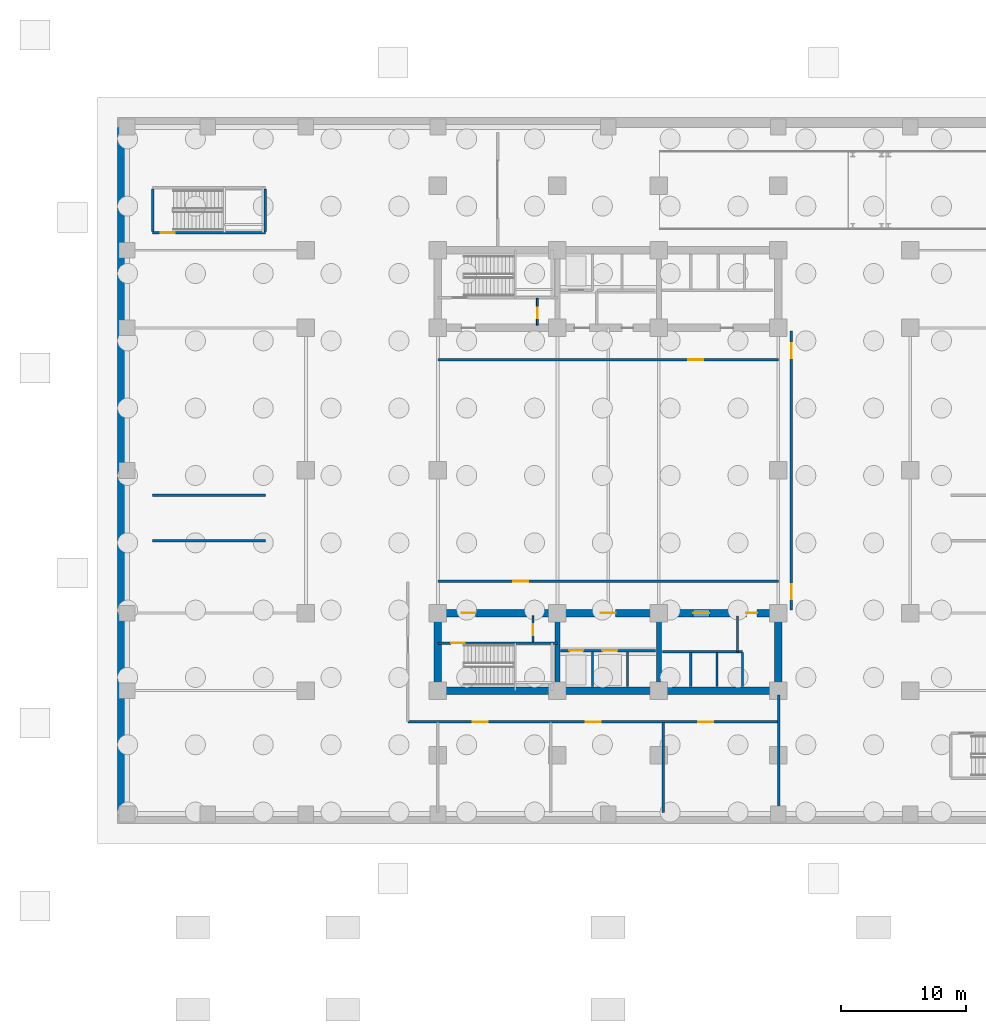
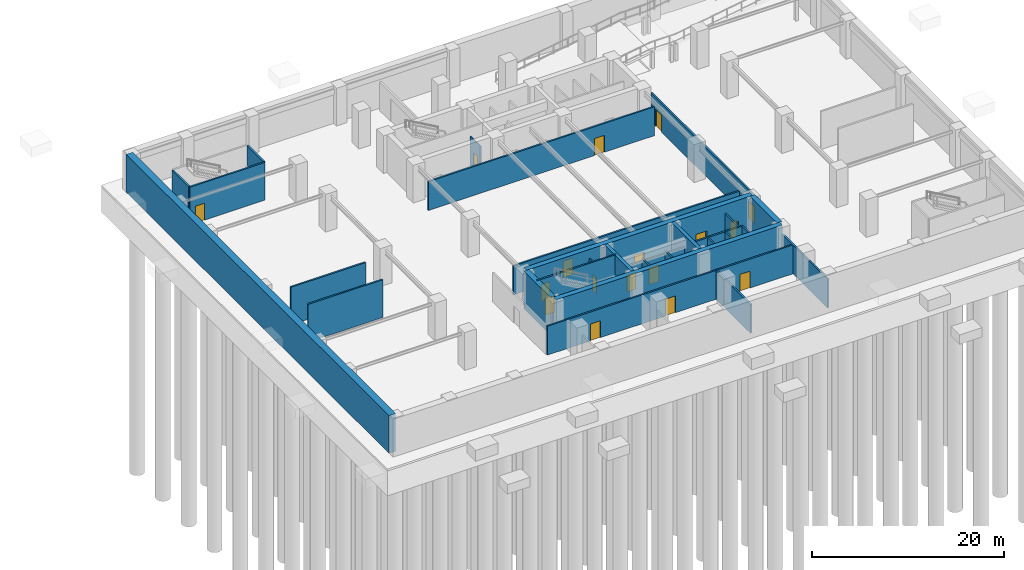
# One storey, part 7 of 13: 29 walls, 17 doors, 17 openings.
"""IFC4 building model written with IfcOpenShell, lengths in metres."""

from ifc_helpers import new_model, si_unit, direction, frame, frame_2d, origin, place, context, subcontext, project, spatial, rectangle, extrude, material, layer, layer_set, type_object, element, fill, save


model = new_model("IFC4")

# Units and contexts
model_context = context("Model", 3, precision=1e-05, world=origin(), true_north=direction((0.0, 1.0)))
body_context = subcontext(model_context, "Body", "Model", "MODEL_VIEW")
ifc_project = project(units=[si_unit("LENGTHUNIT", "METRE"), si_unit("AREAUNIT", "SQUARE_METRE"), si_unit("VOLUMEUNIT", "CUBIC_METRE"), si_unit("PLANEANGLEUNIT", "RADIAN"), si_unit("MASSUNIT", "GRAM", prefix="KILO")], contexts=[model_context])

# Site, building, storey
site_placement = place(None, origin())
site = spatial("IfcSite", under=ifc_project, at=site_placement, CompositionType="ELEMENT")
building_placement = place(site_placement, origin())
building = spatial("IfcBuilding", under=site, at=building_placement, Name="Svetorya Sky Lyceum", CompositionType="ELEMENT")
storey_placement = place(building_placement, frame((0.0, 0.0, -4.800048828125)))
storey = spatial("IfcBuildingStorey", under=building, at=storey_placement, Name="B01", CompositionType="ELEMENT", Elevation=-4.800048828125)

# Walls
ifc_material_1 = material(Name="Concrete C40/50", Category="concrete")
ifc_layer_1 = layer(ifc_material_1, 0.39990234375)
ifc_layer_set_1 = layer_set([ifc_layer_1], Name="Concrete C40/50")
wall_type_1 = type_object("IfcWallType", Name="WL-CORE-400", PredefinedType="SHEAR", material=ifc_layer_set_1)
for number, where, z_axis, x_axis, name in (
    (1, (35.14990234375, 10.89990234375, 0.0), (0.0, 0.0, 1.0), (0.0, 1.0, 0.0), "B01 SC Internal Shear Web WEB1"),
    (2, (43.25, 10.89990234375, 0.0), (0.0, 0.0, 1.0), (0.0, 1.0, 0.0), "B01 SC Internal Shear Web WEB2"),
):
    element("IfcWall", number, at=place(storey_placement, frame(where, z_axis=z_axis, x_axis=x_axis)), inside=storey, type_object=wall_type_1, Name=name, PredefinedType="SHEAR", context=body_context, shape_type="SweptSolid", body=[
        extrude(rectangle(XDim=5.60009765625, YDim=0.39990234375, at=frame_2d((2.800048828125, 0.0))), origin(), (0.0, 0.0, 1.0), 4.800048828125),
    ])
ifc_material_2 = material(Name="Concrete C60/75", Category="concrete")
ifc_layer_2 = layer(ifc_material_2, 0.60009765625)
ifc_layer_set_2 = layer_set([ifc_layer_2], Name="Concrete C60/75")
wall_type_2 = type_object("IfcWallType", Name="WL-CORE-600", PredefinedType="SHEAR", material=ifc_layer_set_2)
wall_1_placement = place(storey_placement, frame((52.800048828125, 10.60009765625, 0.0), z_axis=(0.0, 0.0, 1.0), x_axis=(-1.0, 0.0, 0.0)))
element("IfcWall", 3, at=wall_1_placement, inside=storey, type_object=wall_type_2, Name="B01 SC Outer Core Shear Wall", PredefinedType="SHEAR", context=body_context, shape_type="SweptSolid", body=[
    extrude(rectangle(XDim=27.199951171875, YDim=0.60009765625, at=frame_2d((13.60009765625, 0.0))), origin(), (0.0, 0.0, 1.0), 4.800048828125),
])
for number, where, z_axis, x_axis, name in (
    (4, (25.60009765625, 10.89990234375, 0.0), (0.0, 0.0, 1.0), (0.0, 1.0, 0.0), "B01 SC West Core Shear Wall"),
    (5, (52.800048828125, 10.89990234375, 0.0), (0.0, 0.0, 1.0), (0.0, 1.0, 0.0), "B01 SC East Core Shear Wall"),
):
    element("IfcWall", number, at=place(storey_placement, frame(where, z_axis=z_axis, x_axis=x_axis)), inside=storey, type_object=wall_type_2, Name=name, PredefinedType="SHEAR", context=body_context, shape_type="SweptSolid", body=[
        extrude(rectangle(XDim=5.60009765625, YDim=0.60009765625, at=frame_2d((2.800048828125, 0.0))), origin(), (0.0, 0.0, 1.0), 4.800048828125),
    ])

# Wall, openings, doors
wall_2_placement = place(storey_placement, frame((25.60009765625, 16.800048828125, 0.0), z_axis=(0.0, 0.0, 1.0), x_axis=(1.0, 0.0, 0.0)))
wall_2 = element("IfcWall", 6, at=wall_2_placement, inside=storey, type_object=wall_type_2, Name="B01 SC Inner Core Shear Wall", PredefinedType="SHEAR", context=body_context, shape_type="SweptSolid", body=[
    extrude(rectangle(XDim=27.199951171875, YDim=0.60009765625, at=frame_2d((13.60009765625, 0.0))), origin(), (0.0, 0.0, 1.0), 4.800048828125),
])
opening_1_placement = place(wall_2_placement, frame((1.89990234375, 0.0, 0.0)))
opening_1 = element("IfcOpeningElement", 7, at=opening_1_placement, cuts=wall_2, Name="Opening D-ST1", PredefinedType="OPENING", context=body_context, shape_type="SweptSolid", body=[
    extrude(rectangle(XDim=1.10009765625, YDim=2.14990234375, at=frame_2d((0.550048828125, 1.074951171875))), frame((0.0, 0.31005859375, 0.0), z_axis=(0.0, -1.0, 0.0), x_axis=(1.0, 0.0, 0.0)), (0.0, 0.0, 1.0), 0.6201171875),
])
opening_2_placement = place(wall_2_placement, frame((13.0, 0.0, 0.0)))
opening_2 = element("IfcOpeningElement", 8, at=opening_2_placement, cuts=wall_2, Name="Opening D-FL1", PredefinedType="OPENING", context=body_context, shape_type="SweptSolid", body=[
    extrude(rectangle(XDim=1.199951171875, YDim=2.14990234375, at=frame_2d((0.60009765625, 1.074951171875))), frame((0.0, 0.31005859375, 0.0), z_axis=(0.0, -1.0, 0.0), x_axis=(1.0, 0.0, 0.0)), (0.0, 0.0, 1.0), 0.6201171875),
])
opening_3_placement = place(wall_2_placement, frame((20.39990234375, 0.0, 0.0)))
opening_3 = element("IfcOpeningElement", 9, at=opening_3_placement, cuts=wall_2, Name="Opening D-LB1", PredefinedType="OPENING", context=body_context, shape_type="SweptSolid", body=[
    extrude(rectangle(XDim=1.300048828125, YDim=2.199951171875, at=frame_2d((0.64990234375, 1.10009765625))), frame((0.0, 0.31005859375, 0.0), z_axis=(0.0, -1.0, 0.0), x_axis=(1.0, 0.0, 0.0)), (0.0, 0.0, 1.0), 0.6201171875),
])
opening_4_placement = place(wall_2_placement, frame((24.64990234375, 0.0, 0.0)))
opening_4 = element("IfcOpeningElement", 10, at=opening_4_placement, cuts=wall_2, Name="Opening D-CWC1", PredefinedType="OPENING", context=body_context, shape_type="SweptSolid", body=[
    extrude(rectangle(XDim=0.85009765625, YDim=2.10009765625, at=frame_2d((0.425048828125, 1.050048828125))), frame((0.0, 0.31005859375, 0.0), z_axis=(0.0, -1.0, 0.0), x_axis=(1.0, 0.0, 0.0)), (0.0, 0.0, 1.0), 0.6201171875),
])
ifc_material_3 = material(Name="Fire-rated galvanized steel core service closet door", Category="steel")
door_type_1 = type_object("IfcDoorType", Name="DR-CWET-850", OperationType="SINGLE_SWING_LEFT", PredefinedType="DOOR", material=ifc_material_3)
door_1_placement = place(opening_4_placement, origin())
door_1 = element("IfcDoor", 11, at=door_1_placement, inside=storey, type_object=door_type_1, Name="B01 South Core Auxiliary Door", OperationType="SINGLE_SWING_LEFT", OverallHeight=2.10009765625, OverallWidth=0.85009765625, PredefinedType="DOOR", context=body_context, shape_type="SweptSolid", body=[
    extrude(rectangle(XDim=0.85009765625, YDim=2.10009765625, at=frame_2d((0.425048828125, 1.050048828125))), frame((0.0, 0.02490234375, 0.0), z_axis=(0.0, -1.0, 0.0), x_axis=(1.0, 0.0, 0.0)), (0.0, 0.0, 1.0), 0.050048828125),
])
fill(opening_4, door_1)
ifc_material_4 = material(Name="Powder-coated insulated galvanized stair fire door")
door_type_2 = type_object("IfcDoorType", Name="DR-FIRE-1100", OperationType="SINGLE_SWING_LEFT", PredefinedType="DOOR", material=ifc_material_4)
door_2_placement = place(opening_1_placement, origin())
door_2 = element("IfcDoor", 12, at=door_2_placement, inside=storey, type_object=door_type_2, Name="B01 South Stair Airlock Door", OperationType="SINGLE_SWING_RIGHT", OverallHeight=2.14990234375, OverallWidth=1.10009765625, PredefinedType="DOOR", context=body_context, shape_type="SweptSolid", body=[
    extrude(rectangle(XDim=1.10009765625, YDim=2.14990234375, at=frame_2d((0.550048828125, 1.074951171875))), frame((0.0, 0.02490234375, 0.0), z_axis=(0.0, -1.0, 0.0), x_axis=(1.0, 0.0, 0.0)), (0.0, 0.0, 1.0), 0.050048828125),
])
fill(opening_1, door_2)
ifc_material_5 = material(Name="Powder-coated insulated galvanized fire door")
door_type_3 = type_object("IfcDoorType", Name="DR-FIRE-1200", OperationType="SINGLE_SWING_LEFT", PredefinedType="DOOR", material=ifc_material_5)
door_3_placement = place(opening_2_placement, origin())
door_3 = element("IfcDoor", 13, at=door_3_placement, inside=storey, type_object=door_type_3, Name="B01 South Firefighting Lift Lobby Door", OperationType="SINGLE_SWING_LEFT", OverallHeight=2.14990234375, OverallWidth=1.199951171875, PredefinedType="DOOR", context=body_context, shape_type="SweptSolid", body=[
    extrude(rectangle(XDim=1.199951171875, YDim=2.14990234375, at=frame_2d((0.60009765625, 1.074951171875))), frame((0.0, 0.02490234375, 0.0), z_axis=(0.0, -1.0, 0.0), x_axis=(1.0, 0.0, 0.0)), (0.0, 0.0, 1.0), 0.050048828125),
])
fill(opening_2, door_3)
ifc_material_6 = material(Name="Glazed fire-rated aluminium lobby door", Category="aluminium")
door_type_4 = type_object("IfcDoorType", Name="DR-LOB-1300", OperationType="SINGLE_SWING_LEFT", PredefinedType="DOOR", material=ifc_material_6)
door_4_placement = place(opening_3_placement, origin())
door_4 = element("IfcDoor", 14, at=door_4_placement, inside=storey, type_object=door_type_4, Name="B01 Low-Rise Lift Lobby Door", OperationType="SINGLE_SWING_RIGHT", OverallHeight=2.199951171875, OverallWidth=1.300048828125, PredefinedType="DOOR", context=body_context, shape_type="SweptSolid", body=[
    extrude(rectangle(XDim=1.300048828125, YDim=2.199951171875, at=frame_2d((0.64990234375, 1.10009765625))), frame((0.0, 0.02490234375, 0.0), z_axis=(0.0, -1.0, 0.0), x_axis=(1.0, 0.0, 0.0)), (0.0, 0.0, 1.0), 0.050048828125),
])
fill(opening_3, door_4)

# Wall
ifc_material_7 = material(Name="Concrete C50/60", Category="concrete")
ifc_layer_3 = layer(ifc_material_7, 0.800048828125)
ifc_layer_set_3 = layer_set([ifc_layer_3], Name="Concrete C50/60")
wall_type_3 = type_object("IfcWallType", Name="WL-DIAPH-800", PredefinedType="USERDEFINED", material=ifc_layer_set_3)
wall_3_placement = place(storey_placement, frame((0.39990234375, 0.800048828125, 0.0), z_axis=(0.0, 0.0, 1.0), x_axis=(0.0, 1.0, 0.0)))
element("IfcWall", 15, at=wall_3_placement, inside=storey, type_object=wall_type_3, Name="Basement Diaphragm Wall W", ObjectType="RETAININGWALL", PredefinedType="USERDEFINED", context=body_context, shape_type="SweptSolid", body=[
    extrude(rectangle(XDim=54.800048828125, YDim=0.800048828125, at=frame_2d((27.39990234375, 0.0))), origin(), (0.0, 0.0, 1.0), 4.800048828125),
])

# Wall, opening, door
ifc_material_8 = material(Name="Autoclaved cellular masonry blockwork with acoustic render", Category="masonry")
ifc_layer_4 = layer(ifc_material_8, 0.14990234375)
ifc_layer_set_4 = layer_set([ifc_layer_4], Name="Autoclaved cellular masonry blockwork with acoustic render")
wall_type_4 = type_object("IfcWallType", Name="WL-PART-150", PredefinedType="PARTITIONING", material=ifc_layer_set_4)
wall_4_placement = place(storey_placement, frame((33.199951171875, 14.5, 0.0), z_axis=(0.0, 0.0, 1.0), x_axis=(0.0, 1.0, 0.0)))
wall_4 = element("IfcWall", 16, at=wall_4_placement, inside=storey, type_object=wall_type_4, Name="B01 Interior Partition SC-AIRDIV", PredefinedType="PARTITIONING", context=body_context, shape_type="SweptSolid", body=[
    extrude(rectangle(XDim=2.080078125, YDim=0.14990234375, at=frame_2d((1.0400390625, 0.0))), origin(), (0.0, 0.0, 1.0), 3.670166015625),
])
opening_5_placement = place(wall_4_placement, frame((0.550048828125, 0.0, 0.0)))
opening_5 = element("IfcOpeningElement", 17, at=opening_5_placement, cuts=wall_4, Name="Opening D-SH1", PredefinedType="OPENING", context=body_context, shape_type="SweptSolid", body=[
    extrude(rectangle(XDim=0.85009765625, YDim=2.050048828125, at=frame_2d((0.425048828125, 1.02490234375))), frame((0.0, 0.0849609375, 0.0), z_axis=(0.0, -1.0, 0.0), x_axis=(1.0, 0.0, 0.0)), (0.0, 0.0, 1.0), 0.169921875),
])
ifc_material_9 = material(Name="Insulated galvanized riser inspection fire door")
door_type_5 = type_object("IfcDoorType", Name="DR-SHFT-850", OperationType="SINGLE_SWING_LEFT", PredefinedType="TRAPDOOR", material=ifc_material_9)
door_5_placement = place(opening_5_placement, origin())
door_5 = element("IfcDoor", 18, at=door_5_placement, inside=storey, type_object=door_type_5, Name="B01 South Riser Access Door", OperationType="SINGLE_SWING_RIGHT", OverallHeight=2.050048828125, OverallWidth=0.85009765625, PredefinedType="TRAPDOOR", context=body_context, shape_type="SweptSolid", body=[
    extrude(rectangle(XDim=0.85009765625, YDim=2.050048828125, at=frame_2d((0.425048828125, 1.02490234375))), frame((0.0, 0.02490234375, 0.0), z_axis=(0.0, -1.0, 0.0), x_axis=(1.0, 0.0, 0.0)), (0.0, 0.0, 1.0), 0.050048828125),
])
fill(opening_5, door_5)

wall_5_placement = place(storey_placement, frame((33.550048828125, 39.820068359375, 0.0), z_axis=(0.0, 0.0, 1.0), x_axis=(0.0, 1.0, 0.0)))
wall_5 = element("IfcWall", 19, at=wall_5_placement, inside=storey, type_object=wall_type_4, Name="B01 Interior Partition NC-RSRW", PredefinedType="PARTITIONING", context=body_context, shape_type="SweptSolid", body=[
    extrude(rectangle(XDim=2.1298828125, YDim=0.14990234375, at=frame_2d((1.06494140625, 0.0))), origin(), (0.0, 0.0, 1.0), 3.670166015625),
])
opening_6_placement = place(wall_5_placement, frame((0.550048828125, 0.0, 0.0)))
opening_6 = element("IfcOpeningElement", 20, at=opening_6_placement, cuts=wall_5, Name="Opening D-SH1", PredefinedType="OPENING", context=body_context, shape_type="SweptSolid", body=[
    extrude(rectangle(XDim=0.85009765625, YDim=2.050048828125, at=frame_2d((0.425048828125, 1.02490234375))), frame((0.0, 0.0849609375, 0.0), z_axis=(0.0, -1.0, 0.0), x_axis=(1.0, 0.0, 0.0)), (0.0, 0.0, 1.0), 0.169921875),
])
door_6_placement = place(opening_6_placement, origin())
door_6 = element("IfcDoor", 21, at=door_6_placement, inside=storey, type_object=door_type_5, Name="B01 North Riser Access Door", OperationType="SINGLE_SWING_LEFT", OverallHeight=2.050048828125, OverallWidth=0.85009765625, PredefinedType="TRAPDOOR", context=body_context, shape_type="SweptSolid", body=[
    extrude(rectangle(XDim=0.85009765625, YDim=2.050048828125, at=frame_2d((0.425048828125, 1.02490234375))), frame((0.0, 0.02490234375, 0.0), z_axis=(0.0, -1.0, 0.0), x_axis=(1.0, 0.0, 0.0)), (0.0, 0.0, 1.0), 0.050048828125),
])
fill(opening_6, door_6)

# Walls
ifc_material_10 = material(Name="Autoclaved cellular masonry blockwork with fire render", Category="masonry")
ifc_layer_5 = layer(ifc_material_10, 0.175048828125)
ifc_layer_set_5 = layer_set([ifc_layer_5], Name="Autoclaved cellular masonry blockwork with fire render")
wall_type_5 = type_object("IfcWallType", Name="WL-PART-175", PredefinedType="PARTITIONING", material=ifc_layer_set_5)
for number, where, z_axis, x_axis, name in (
    (22, (37.949951171875, 10.949951171875, 0.0), (0.0, 0.0, 1.0), (0.0, 1.0, 0.0), "B01 Interior Partition SC-SHD1"),
    (23, (40.75, 10.949951171875, 0.0), (0.0, 0.0, 1.0), (0.0, 1.0, 0.0), "B01 Interior Partition SC-SHD2"),
):
    element("IfcWall", number, at=place(storey_placement, frame(where, z_axis=z_axis, x_axis=x_axis)), inside=storey, type_object=wall_type_5, Name=name, PredefinedType="PARTITIONING", context=body_context, shape_type="SweptSolid", body=[
        extrude(rectangle(XDim=2.75, YDim=0.175048828125, at=frame_2d((1.375, 0.0))), origin(), (0.0, 0.0, 1.0), 3.670166015625),
    ])
for number, where, z_axis, x_axis, name in (
    (24, (45.800048828125, 10.949951171875, 0.0), (0.0, 0.0, 1.0), (0.0, 1.0, 0.0), "B01 Interior Partition SC-PL-DIV1"),
    (25, (47.89990234375, 10.949951171875, 0.0), (0.0, 0.0, 1.0), (0.0, 1.0, 0.0), "B01 Interior Partition SC-PL-DIV2"),
    (26, (49.949951171875, 10.949951171875, 0.0), (0.0, 0.0, 1.0), (0.0, 1.0, 0.0), "B01 Interior Partition SC-PL-END"),
):
    element("IfcWall", number, at=place(storey_placement, frame(where, z_axis=z_axis, x_axis=x_axis)), inside=storey, type_object=wall_type_5, Name=name, PredefinedType="PARTITIONING", context=body_context, shape_type="SweptSolid", body=[
        extrude(rectangle(XDim=2.699951171875, YDim=0.175048828125, at=frame_2d((1.35009765625, 0.0))), origin(), (0.0, 0.0, 1.0), 3.670166015625),
    ])
wall_6_placement = place(storey_placement, frame((49.550048828125, 13.699951171875, 0.0), z_axis=(0.0, 0.0, 1.0), x_axis=(0.0, 1.0, 0.0)))
element("IfcWall", 27, at=wall_6_placement, inside=storey, type_object=wall_type_5, Name="B01 Interior Partition SC-AUX-V", PredefinedType="PARTITIONING", context=body_context, shape_type="SweptSolid", body=[
    extrude(rectangle(XDim=2.880126953125, YDim=0.175048828125, at=frame_2d((1.43994140625, 0.0))), origin(), (0.0, 0.0, 1.0), 3.670166015625),
])

# Wall, openings, doors
ifc_material_11 = material(Name="Autoclaved cellular masonry blockwork with gypsum plaster", Category="masonry")
ifc_layer_6 = layer(ifc_material_11, 0.199951171875)
ifc_layer_set_6 = layer_set([ifc_layer_6], Name="Autoclaved cellular masonry blockwork with gypsum plaster")
wall_type_6 = type_object("IfcWallType", Name="WL-PART-200", PredefinedType="PARTITIONING", material=ifc_layer_set_6)
wall_7_placement = place(storey_placement, frame((35.39990234375, 13.800048828125, 0.0), z_axis=(0.0, 0.0, 1.0), x_axis=(1.0, 0.0, 0.0)))
wall_7 = element("IfcWall", 28, at=wall_7_placement, inside=storey, type_object=wall_type_6, Name="B01 Interior Partition SC-FLW", PredefinedType="PARTITIONING", context=body_context, shape_type="SweptSolid", body=[
    extrude(rectangle(XDim=7.60009765625, YDim=0.199951171875, at=frame_2d((3.800048828125, 0.0))), origin(), (0.0, 0.0, 1.0), 3.330078125),
])
opening_7_placement = place(wall_7_placement, frame((0.699951171875, 0.0, 0.0)))
opening_7 = element("IfcOpeningElement", 29, at=opening_7_placement, cuts=wall_7, Name="Opening LD-FL", PredefinedType="OPENING", context=body_context, shape_type="SweptSolid", body=[
    extrude(rectangle(XDim=1.10009765625, YDim=2.14990234375, at=frame_2d((0.550048828125, 1.074951171875))), frame((0.0, 0.10986328125, 0.0), z_axis=(0.0, -1.0, 0.0), x_axis=(1.0, 0.0, 0.0)), (0.0, 0.0, 1.0), 0.219970703125),
])
opening_8_placement = place(wall_7_placement, frame((3.35009765625, 0.0, 0.0)))
opening_8 = element("IfcOpeningElement", 30, at=opening_8_placement, cuts=wall_7, Name="Opening LD-SV", PredefinedType="OPENING", context=body_context, shape_type="SweptSolid", body=[
    extrude(rectangle(XDim=1.199951171875, YDim=2.14990234375, at=frame_2d((0.60009765625, 1.074951171875))), frame((0.0, 0.10986328125, 0.0), z_axis=(0.0, -1.0, 0.0), x_axis=(1.0, 0.0, 0.0)), (0.0, 0.0, 1.0), 0.219970703125),
])
ifc_material_12 = material(Name="Fire-rated stainless AISI 304 firefighting lift landing door")
door_type_6 = type_object("IfcDoorType", Name="DR-LIFT-1100", OperationType="SLIDING_TO_LEFT", PredefinedType="DOOR", material=ifc_material_12)
door_7_placement = place(opening_7_placement, origin())
door_7 = element("IfcDoor", 31, at=door_7_placement, inside=storey, type_object=door_type_6, Name="B01 Firefighting Lift FL2 Landing Door", OperationType="SLIDING_TO_LEFT", OverallHeight=2.14990234375, OverallWidth=1.10009765625, PredefinedType="DOOR", context=body_context, shape_type="SweptSolid", body=[
    extrude(rectangle(XDim=1.10009765625, YDim=2.14990234375, at=frame_2d((0.550048828125, 1.074951171875))), frame((0.0, 0.02490234375, 0.0), z_axis=(0.0, -1.0, 0.0), x_axis=(1.0, 0.0, 0.0)), (0.0, 0.0, 1.0), 0.050048828125),
])
fill(opening_7, door_7)
ifc_material_13 = material(Name="Brushed stainless AISI 304 telescopic lift landing door")
door_type_7 = type_object("IfcDoorType", Name="DR-LIFT-1200", OperationType="SLIDING_TO_LEFT", PredefinedType="DOOR", material=ifc_material_13)
door_8_placement = place(opening_8_placement, origin())
door_8 = element("IfcDoor", 32, at=door_8_placement, inside=storey, type_object=door_type_7, Name="B01 Service Lift SVL1 Landing Door", OperationType="SLIDING_TO_LEFT", OverallHeight=2.14990234375, OverallWidth=1.199951171875, PredefinedType="DOOR", context=body_context, shape_type="SweptSolid", body=[
    extrude(rectangle(XDim=1.199951171875, YDim=2.14990234375, at=frame_2d((0.60009765625, 1.074951171875))), frame((0.0, 0.02490234375, 0.0), z_axis=(0.0, -1.0, 0.0), x_axis=(1.0, 0.0, 0.0)), (0.0, 0.0, 1.0), 0.050048828125),
])
fill(opening_8, door_8)

# Wall
wall_8_placement = place(storey_placement, frame((43.550048828125, 13.699951171875, 0.0), z_axis=(0.0, 0.0, 1.0), x_axis=(1.0, 0.0, 0.0)))
element("IfcWall", 33, at=wall_8_placement, inside=storey, type_object=wall_type_6, Name="B01 Interior Partition SC-PLW", PredefinedType="PARTITIONING", context=body_context, shape_type="SweptSolid", body=[
    extrude(rectangle(XDim=6.39990234375, YDim=0.199951171875, at=frame_2d((3.199951171875, 0.0))), origin(), (0.0, 0.0, 1.0), 3.670166015625),
])

# Wall, opening, door
wall_9_placement = place(storey_placement, frame((25.60009765625, 19.35009765625, 0.0), z_axis=(0.0, 0.0, 1.0), x_axis=(1.0, 0.0, 0.0)))
wall_9 = element("IfcWall", 34, at=wall_9_placement, inside=storey, type_object=wall_type_6, Name="B01 Interior Partition B01-CS-N", PredefinedType="PARTITIONING", context=body_context, shape_type="SweptSolid", body=[
    extrude(rectangle(XDim=27.199951171875, YDim=0.199951171875, at=frame_2d((13.60009765625, 0.0))), origin(), (0.0, 0.0, 1.0), 3.670166015625),
])
opening_9_placement = place(wall_9_placement, frame((6.0, 0.0, 0.0)))
opening_9 = element("IfcOpeningElement", 35, at=opening_9_placement, cuts=wall_9, Name="Opening D-FL1", PredefinedType="OPENING", context=body_context, shape_type="SweptSolid", body=[
    extrude(rectangle(XDim=1.199951171875, YDim=2.14990234375, at=frame_2d((0.60009765625, 1.074951171875))), frame((0.0, 0.10986328125, 0.0), z_axis=(0.0, -1.0, 0.0), x_axis=(1.0, 0.0, 0.0)), (0.0, 0.0, 1.0), 0.219970703125),
])
door_9_placement = place(opening_9_placement, origin())
door_9 = element("IfcDoor", 36, at=door_9_placement, inside=storey, type_object=door_type_3, Name="Central Car Park South Door", OperationType="SINGLE_SWING_LEFT", OverallHeight=2.14990234375, OverallWidth=1.199951171875, PredefinedType="DOOR", context=body_context, shape_type="SweptSolid", body=[
    extrude(rectangle(XDim=1.199951171875, YDim=2.14990234375, at=frame_2d((0.60009765625, 1.074951171875))), frame((0.0, 0.02490234375, 0.0), z_axis=(0.0, -1.0, 0.0), x_axis=(1.0, 0.0, 0.0)), (0.0, 0.0, 1.0), 0.050048828125),
])
fill(opening_9, door_9)

wall_10_placement = place(storey_placement, frame((52.800048828125, 37.050048828125, 0.0), z_axis=(0.0, 0.0, 1.0), x_axis=(-1.0, 0.0, 0.0)))
wall_10 = element("IfcWall", 37, at=wall_10_placement, inside=storey, type_object=wall_type_6, Name="B01 Interior Partition B01-CN-S", PredefinedType="PARTITIONING", context=body_context, shape_type="SweptSolid", body=[
    extrude(rectangle(XDim=27.199951171875, YDim=0.199951171875, at=frame_2d((13.60009765625, 0.0))), origin(), (0.0, 0.0, 1.0), 3.670166015625),
])
opening_10_placement = place(wall_10_placement, frame((6.0, 0.0, 0.0)))
opening_10 = element("IfcOpeningElement", 38, at=opening_10_placement, cuts=wall_10, Name="Opening D-FL1", PredefinedType="OPENING", context=body_context, shape_type="SweptSolid", body=[
    extrude(rectangle(XDim=1.199951171875, YDim=2.14990234375, at=frame_2d((0.60009765625, 1.074951171875))), frame((0.0, 0.10986328125, 0.0), z_axis=(0.0, -1.0, 0.0), x_axis=(1.0, 0.0, 0.0)), (0.0, 0.0, 1.0), 0.219970703125),
])
door_10_placement = place(opening_10_placement, origin())
door_10 = element("IfcDoor", 39, at=door_10_placement, inside=storey, type_object=door_type_3, Name="Central Car Park North Door", OperationType="SINGLE_SWING_RIGHT", OverallHeight=2.14990234375, OverallWidth=1.199951171875, PredefinedType="DOOR", context=body_context, shape_type="SweptSolid", body=[
    extrude(rectangle(XDim=1.199951171875, YDim=2.14990234375, at=frame_2d((0.60009765625, 1.074951171875))), frame((0.0, 0.02490234375, 0.0), z_axis=(0.0, -1.0, 0.0), x_axis=(1.0, 0.0, 0.0)), (0.0, 0.0, 1.0), 0.050048828125),
])
fill(opening_10, door_10)

# Wall, openings, doors
wall_11_placement = place(storey_placement, frame((53.85009765625, 17.050048828125, 0.0), z_axis=(0.0, 0.0, 1.0), x_axis=(0.0, 1.0, 0.0)))
wall_11 = element("IfcWall", 40, at=wall_11_placement, inside=storey, type_object=wall_type_6, Name="B01 Interior Partition B01-CE-E", PredefinedType="PARTITIONING", context=body_context, shape_type="SweptSolid", body=[
    extrude(rectangle(XDim=22.300048828125, YDim=0.199951171875, at=frame_2d((11.14990234375, 0.0))), origin(), (0.0, 0.0, 1.0), 3.670166015625),
])
opening_11_placement = place(wall_11_placement, frame((0.85009765625, 0.0, 0.0)))
opening_11 = element("IfcOpeningElement", 41, at=opening_11_placement, cuts=wall_11, Name="Opening D-FL1", PredefinedType="OPENING", context=body_context, shape_type="SweptSolid", body=[
    extrude(rectangle(XDim=1.199951171875, YDim=2.14990234375, at=frame_2d((0.60009765625, 1.074951171875))), frame((0.0, 0.10986328125, 0.0), z_axis=(0.0, -1.0, 0.0), x_axis=(1.0, 0.0, 0.0)), (0.0, 0.0, 1.0), 0.219970703125),
])
opening_12_placement = place(wall_11_placement, frame((20.10009765625, 0.0, 0.0)))
opening_12 = element("IfcOpeningElement", 42, at=opening_12_placement, cuts=wall_11, Name="Opening D-FL1", PredefinedType="OPENING", context=body_context, shape_type="SweptSolid", body=[
    extrude(rectangle(XDim=1.199951171875, YDim=2.14990234375, at=frame_2d((0.60009765625, 1.074951171875))), frame((0.0, 0.10986328125, 0.0), z_axis=(0.0, -1.0, 0.0), x_axis=(1.0, 0.0, 0.0)), (0.0, 0.0, 1.0), 0.219970703125),
])
door_11_placement = place(opening_11_placement, origin())
door_11 = element("IfcDoor", 43, at=door_11_placement, inside=storey, type_object=door_type_3, Name="East Car Park South Door", OperationType="SINGLE_SWING_RIGHT", OverallHeight=2.14990234375, OverallWidth=1.199951171875, PredefinedType="DOOR", context=body_context, shape_type="SweptSolid", body=[
    extrude(rectangle(XDim=1.199951171875, YDim=2.14990234375, at=frame_2d((0.60009765625, 1.074951171875))), frame((0.0, 0.02490234375, 0.0), z_axis=(0.0, -1.0, 0.0), x_axis=(1.0, 0.0, 0.0)), (0.0, 0.0, 1.0), 0.050048828125),
])
fill(opening_11, door_11)
door_12_placement = place(opening_12_placement, origin())
door_12 = element("IfcDoor", 44, at=door_12_placement, inside=storey, type_object=door_type_3, Name="East Car Park North Door", OperationType="SINGLE_SWING_LEFT", OverallHeight=2.14990234375, OverallWidth=1.199951171875, PredefinedType="DOOR", context=body_context, shape_type="SweptSolid", body=[
    extrude(rectangle(XDim=1.199951171875, YDim=2.14990234375, at=frame_2d((0.60009765625, 1.074951171875))), frame((0.0, 0.02490234375, 0.0), z_axis=(0.0, -1.0, 0.0), x_axis=(1.0, 0.0, 0.0)), (0.0, 0.0, 1.0), 0.050048828125),
])
fill(opening_12, door_12)

wall_12_placement = place(storey_placement, frame((23.199951171875, 8.10009765625, 0.0), z_axis=(0.0, 0.0, 1.0), x_axis=(1.0, 0.0, 0.0)))
wall_12 = element("IfcWall", 45, at=wall_12_placement, inside=storey, type_object=wall_type_6, Name="B01 Interior Partition B01-PC-S", PredefinedType="PARTITIONING", context=body_context, shape_type="SweptSolid", body=[
    extrude(rectangle(XDim=29.650146484375, YDim=0.199951171875, at=frame_2d((14.8251953125, 0.0))), origin(), (0.0, 0.0, 1.0), 3.670166015625),
])
opening_13_placement = place(wall_12_placement, frame((5.199951171875, 0.0, 0.0)))
opening_13 = element("IfcOpeningElement", 46, at=opening_13_placement, cuts=wall_12, Name="Opening D-FL1", PredefinedType="OPENING", context=body_context, shape_type="SweptSolid", body=[
    extrude(rectangle(XDim=1.199951171875, YDim=2.14990234375, at=frame_2d((0.60009765625, 1.074951171875))), frame((0.0, 0.10986328125, 0.0), z_axis=(0.0, -1.0, 0.0), x_axis=(1.0, 0.0, 0.0)), (0.0, 0.0, 1.0), 0.219970703125),
])
opening_14_placement = place(wall_12_placement, frame((14.199951171875, 0.0, 0.0)))
opening_14 = element("IfcOpeningElement", 47, at=opening_14_placement, cuts=wall_12, Name="Opening D-FL1", PredefinedType="OPENING", context=body_context, shape_type="SweptSolid", body=[
    extrude(rectangle(XDim=1.199951171875, YDim=2.14990234375, at=frame_2d((0.60009765625, 1.074951171875))), frame((0.0, 0.10986328125, 0.0), z_axis=(0.0, -1.0, 0.0), x_axis=(1.0, 0.0, 0.0)), (0.0, 0.0, 1.0), 0.219970703125),
])
opening_15_placement = place(wall_12_placement, frame((23.199951171875, 0.0, 0.0)))
opening_15 = element("IfcOpeningElement", 48, at=opening_15_placement, cuts=wall_12, Name="Opening D-FL1", PredefinedType="OPENING", context=body_context, shape_type="SweptSolid", body=[
    extrude(rectangle(XDim=1.199951171875, YDim=2.14990234375, at=frame_2d((0.60009765625, 1.074951171875))), frame((0.0, 0.10986328125, 0.0), z_axis=(0.0, -1.0, 0.0), x_axis=(1.0, 0.0, 0.0)), (0.0, 0.0, 1.0), 0.219970703125),
])
door_13_placement = place(opening_13_placement, origin())
door_13 = element("IfcDoor", 49, at=door_13_placement, inside=storey, type_object=door_type_3, Name="District Heating Plant Door", OperationType="SINGLE_SWING_LEFT", OverallHeight=2.14990234375, OverallWidth=1.199951171875, PredefinedType="DOOR", context=body_context, shape_type="SweptSolid", body=[
    extrude(rectangle(XDim=1.199951171875, YDim=2.14990234375, at=frame_2d((0.60009765625, 1.074951171875))), frame((0.0, 0.02490234375, 0.0), z_axis=(0.0, -1.0, 0.0), x_axis=(1.0, 0.0, 0.0)), (0.0, 0.0, 1.0), 0.050048828125),
])
fill(opening_13, door_13)
door_14_placement = place(opening_14_placement, origin())
door_14 = element("IfcDoor", 50, at=door_14_placement, inside=storey, type_object=door_type_3, Name="Fire Pump Room Door", OperationType="SINGLE_SWING_RIGHT", OverallHeight=2.14990234375, OverallWidth=1.199951171875, PredefinedType="DOOR", context=body_context, shape_type="SweptSolid", body=[
    extrude(rectangle(XDim=1.199951171875, YDim=2.14990234375, at=frame_2d((0.60009765625, 1.074951171875))), frame((0.0, 0.02490234375, 0.0), z_axis=(0.0, -1.0, 0.0), x_axis=(1.0, 0.0, 0.0)), (0.0, 0.0, 1.0), 0.050048828125),
])
fill(opening_14, door_14)
door_15_placement = place(opening_15_placement, origin())
door_15 = element("IfcDoor", 51, at=door_15_placement, inside=storey, type_object=door_type_3, Name="Transformer Substation Door", OperationType="SINGLE_SWING_LEFT", OverallHeight=2.14990234375, OverallWidth=1.199951171875, PredefinedType="DOOR", context=body_context, shape_type="SweptSolid", body=[
    extrude(rectangle(XDim=1.199951171875, YDim=2.14990234375, at=frame_2d((0.60009765625, 1.074951171875))), frame((0.0, 0.02490234375, 0.0), z_axis=(0.0, -1.0, 0.0), x_axis=(1.0, 0.0, 0.0)), (0.0, 0.0, 1.0), 0.050048828125),
])
fill(opening_15, door_15)

# Walls
wall_13_placement = place(storey_placement, frame((52.85009765625, 0.85009765625, 0.0), z_axis=(0.0, 0.0, 1.0), x_axis=(0.0, 1.0, 0.0)))
element("IfcWall", 52, at=wall_13_placement, inside=storey, type_object=wall_type_6, Name="B01 Interior Partition B01-PC-E", PredefinedType="PARTITIONING", context=body_context, shape_type="SweptSolid", body=[
    extrude(rectangle(XDim=9.39990234375, YDim=0.199951171875, at=frame_2d((4.699951171875, 0.0))), origin(), (0.0, 0.0, 1.0), 3.670166015625),
])
wall_14_placement = place(storey_placement, frame((43.60009765625, 0.85009765625, 0.0), z_axis=(0.0, 0.0, 1.0), x_axis=(0.0, 1.0, 0.0)))
element("IfcWall", 53, at=wall_14_placement, inside=storey, type_object=wall_type_6, Name="B01 Interior Partition B01-PD2", PredefinedType="PARTITIONING", context=body_context, shape_type="SweptSolid", body=[
    extrude(rectangle(XDim=7.199951171875, YDim=0.199951171875, at=frame_2d((3.60009765625, 0.0))), origin(), (0.0, 0.0, 1.0), 3.670166015625),
])
ifc_layer_7 = layer(ifc_material_7, 0.199951171875)
ifc_layer_set_7 = layer_set([ifc_layer_7], Name="Concrete C50/60")
wall_type_7 = type_object("IfcWallType", Name="WL-SHW-200", PredefinedType="SHEAR", material=ifc_layer_set_7)
for number, where, z_axis, x_axis, name in (
    (54, (2.800048828125, 22.60009765625, 0.0), (0.0, 0.0, 1.0), (1.0, 0.0, 0.0), "B01 Lyceum Stair W Substructure Support Wall S"),
    (55, (2.800048828125, 26.199951171875, 0.0), (0.0, 0.0, 1.0), (1.0, 0.0, 0.0), "B01 Lyceum Stair W Substructure Support Wall N"),
):
    element("IfcWall", number, at=place(storey_placement, frame(where, z_axis=z_axis, x_axis=x_axis)), inside=storey, type_object=wall_type_7, Name=name, PredefinedType="SHEAR", context=body_context, shape_type="SweptSolid", body=[
        extrude(rectangle(XDim=9.0, YDim=0.199951171875, at=frame_2d((4.5, 0.0))), origin(), (0.0, 0.0, 1.0), 4.800048828125),
    ])

# Wall, opening, door
wall_15_placement = place(storey_placement, frame((25.60009765625, 14.39990234375, 0.0), z_axis=(0.0, 0.0, 1.0), x_axis=(1.0, 0.0, 0.0)))
wall_15 = element("IfcWall", 56, at=wall_15_placement, inside=storey, type_object=wall_type_7, Name="B01 Structural Stair Shaft Wall SC-STW", PredefinedType="SHEAR", context=body_context, shape_type="SweptSolid", body=[
    extrude(rectangle(XDim=9.5498046875, YDim=0.199951171875, at=frame_2d((4.77490234375, 0.0))), origin(), (0.0, 0.0, 1.0), 4.800048828125),
])
opening_16_placement = place(wall_15_placement, frame((1.050048828125, 0.0, 0.0)))
opening_16 = element("IfcOpeningElement", 57, at=opening_16_placement, cuts=wall_15, Name="Opening D-ST1", PredefinedType="OPENING", context=body_context, shape_type="SweptSolid", body=[
    extrude(rectangle(XDim=1.10009765625, YDim=2.14990234375, at=frame_2d((0.550048828125, 1.074951171875))), frame((0.0, 0.10986328125, 0.0), z_axis=(0.0, -1.0, 0.0), x_axis=(1.0, 0.0, 0.0)), (0.0, 0.0, 1.0), 0.219970703125),
])
door_16_placement = place(opening_16_placement, origin())
door_16 = element("IfcDoor", 58, at=door_16_placement, inside=storey, type_object=door_type_2, Name="B01 Stair ST-S Vestibule Fire Door", OperationType="SINGLE_SWING_LEFT", OverallHeight=2.14990234375, OverallWidth=1.10009765625, PredefinedType="DOOR", context=body_context, shape_type="SweptSolid", body=[
    extrude(rectangle(XDim=1.10009765625, YDim=2.14990234375, at=frame_2d((0.550048828125, 1.074951171875))), frame((0.0, 0.02490234375, 0.0), z_axis=(0.0, -1.0, 0.0), x_axis=(1.0, 0.0, 0.0)), (0.0, 0.0, 1.0), 0.050048828125),
])
fill(opening_16, door_16)

wall_16_placement = place(storey_placement, frame((2.800048828125, 47.199951171875, 0.0), z_axis=(0.0, 0.0, 1.0), x_axis=(1.0, 0.0, 0.0)))
wall_16 = element("IfcWall", 59, at=wall_16_placement, inside=storey, type_object=wall_type_7, Name="B01 Structural Stair Shaft Wall STB-S-B1", PredefinedType="SHEAR", context=body_context, shape_type="SweptSolid", body=[
    extrude(rectangle(XDim=9.0, YDim=0.199951171875, at=frame_2d((4.5, 0.0))), origin(), (0.0, 0.0, 1.0), 4.800048828125),
])
opening_17_placement = place(wall_16_placement, frame((0.64990234375, 0.0, 0.0)))
opening_17 = element("IfcOpeningElement", 60, at=opening_17_placement, cuts=wall_16, Name="Opening D-ST1", PredefinedType="OPENING", context=body_context, shape_type="SweptSolid", body=[
    extrude(rectangle(XDim=1.10009765625, YDim=2.14990234375, at=frame_2d((0.550048828125, 1.074951171875))), frame((0.0, 0.10986328125, 0.0), z_axis=(0.0, -1.0, 0.0), x_axis=(1.0, 0.0, 0.0)), (0.0, 0.0, 1.0), 0.219970703125),
])
door_17_placement = place(opening_17_placement, origin())
door_17 = element("IfcDoor", 61, at=door_17_placement, inside=storey, type_object=door_type_2, Name="B01 Basement Stair ST-B1 Door", OperationType="SINGLE_SWING_RIGHT", OverallHeight=2.14990234375, OverallWidth=1.10009765625, PredefinedType="DOOR", context=body_context, shape_type="SweptSolid", body=[
    extrude(rectangle(XDim=1.10009765625, YDim=2.14990234375, at=frame_2d((0.550048828125, 1.074951171875))), frame((0.0, 0.02490234375, 0.0), z_axis=(0.0, -1.0, 0.0), x_axis=(1.0, 0.0, 0.0)), (0.0, 0.0, 1.0), 0.050048828125),
])
fill(opening_17, door_17)

# Walls
for number, where, z_axis, x_axis, name in (
    (62, (2.800048828125, 47.300048828125, 0.0), (0.0, 0.0, 1.0), (0.0, 1.0, 0.0), "B01 Structural Stair Shaft Wall STB-W-B1"),
    (63, (11.800048828125, 47.300048828125, 0.0), (0.0, 0.0, 1.0), (0.0, 1.0, 0.0), "B01 Structural Stair Shaft Wall STB-E-B1"),
):
    element("IfcWall", number, at=place(storey_placement, frame(where, z_axis=z_axis, x_axis=x_axis)), inside=storey, type_object=wall_type_7, Name=name, PredefinedType="SHEAR", context=body_context, shape_type="SweptSolid", body=[
        extrude(rectangle(XDim=3.39990234375, YDim=0.199951171875, at=frame_2d((1.699951171875, 0.0))), origin(), (0.0, 0.0, 1.0), 4.800048828125),
    ])

save(model, "model.ifc")
